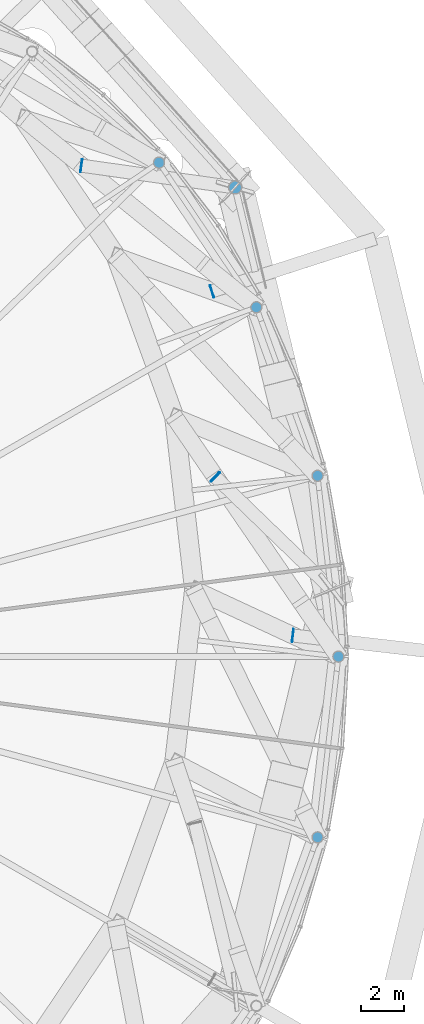
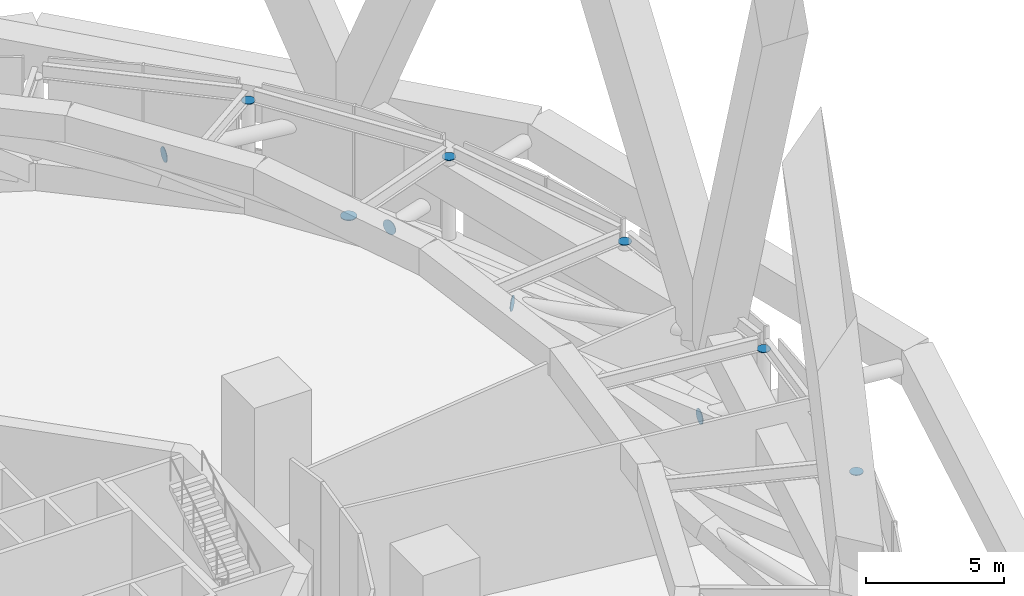
# One storey, part 47 of 51: 10 discrete accessories.
"""IFC4 building model written with IfcOpenShell, lengths in metres."""

from ifc_helpers import new_model, si_unit, direction, frame, origin, origin_2d, place, context, subcontext, project, spatial, circle, extrude, material, layer, layer_set, type_object, element, save


model = new_model("IFC4")

# Units and contexts
model_context = context("Model", 3, precision=1e-05, world=origin(), true_north=direction((0.0, 1.0)))
body_context = subcontext(model_context, "Body", "Model", "MODEL_VIEW")
ifc_project = project(units=[si_unit("LENGTHUNIT", "METRE"), si_unit("AREAUNIT", "SQUARE_METRE"), si_unit("VOLUMEUNIT", "CUBIC_METRE"), si_unit("PLANEANGLEUNIT", "RADIAN"), si_unit("MASSUNIT", "GRAM", prefix="KILO")], contexts=[model_context])

# Site, building, storey
site_placement = place(None, origin())
site = spatial("IfcSite", under=ifc_project, at=site_placement, CompositionType="ELEMENT")
building_placement = place(site_placement, origin())
building = spatial("IfcBuilding", under=site, at=building_placement, Name="Nagisa Residences", CompositionType="ELEMENT")
storey_placement = place(building_placement, frame((0.0, 0.0, 67.699951171875)))
storey = spatial("IfcBuildingStorey", under=building, at=storey_placement, Name="L16", CompositionType="ELEMENT", Elevation=67.699951171875)

# Discrete accessories
ifc_material_1 = material(Name="Steel ASTM A572 Gr 50", Category="steel")
ifc_layer_1 = layer(ifc_material_1, 0.030029296875)
ifc_layer_set_1 = layer_set([ifc_layer_1], Name="End plate")
discrete_accessory_type_1 = type_object("IfcDiscreteAccessoryType", Name="End plate", PredefinedType="ANCHORPLATE", material=ifc_layer_set_1)
discrete_accessory_1_placement = place(storey_placement, frame((27.294189453125, 21.8251953125, -0.889892578125), z_axis=(0.0, 0.0, -1.0), x_axis=(1.0, 0.0, 0.0)))
element("IfcDiscreteAccessory", 1, at=discrete_accessory_1_placement, inside=storey, type_object=discrete_accessory_type_1, Name="End plate DH101", PredefinedType="ANCHORPLATE", context=body_context, shape_type="SweptSolid", body=[
    extrude(circle(Radius=0.304931640625, at=origin_2d()), origin(), (0.0, 0.0, 1.0), 0.030029296875),
])
for number, where, z_axis, x_axis, name in (
    (2, (32.10009765625, 0.0, 4.737060546875), (0.0, 0.0, 1.0), (1.0, 0.0, 0.0), "End plate GP101"),
    (3, (31.12890625, 8.41162109375, 4.737060546875), (0.0, 0.0, 1.0), (1.0, 0.0, 0.0), "End plate GP102"),
    (4, (28.28173828125, 16.25, 4.737060546875), (0.0, 0.0, 1.0), (1.0, 0.0, 0.0), "End plate GP103"),
    (5, (23.75244140625, 22.98095703125, 4.737060546875), (0.0, 0.0, 1.0), (1.0, 0.0, 0.0), "End plate GP104"),
    (6, (31.12890625, -8.41162109375, 4.737060546875), (0.0, 0.0, 1.0), (1.0, 0.0, 0.0), "End plate GP124"),
):
    element("IfcDiscreteAccessory", number, at=place(storey_placement, frame(where, z_axis=z_axis, x_axis=x_axis)), inside=storey, type_object=discrete_accessory_type_1, Name=name, PredefinedType="ANCHORPLATE", context=body_context, shape_type="SweptSolid", body=[
        extrude(circle(Radius=0.25390625, at=origin_2d()), origin(), (0.0, 0.0, 1.0), 0.030029296875),
    ])
ifc_material_2 = material(Name="Steel ASTM A572 Gr 50", Category="steel")
ifc_layer_2 = layer(ifc_material_2, 0.030029296875)
ifc_layer_set_2 = layer_set([ifc_layer_2], Name="Node plate")
discrete_accessory_type_2 = type_object("IfcDiscreteAccessoryType", Name="Node plate", PredefinedType="ANCHORPLATE", material=ifc_layer_set_2)
for number, where, z_axis, x_axis, name in (
    (7, (29.99462890625, 0.97900390625, 1.900146484375), (-0.993480071526, 0.114005909847, 0.0), (-0.114005909847, -0.993480071526, 0.0), "Node plate ST1A01"),
    (8, (26.231201171875, 16.995849609375, 1.900146484375), (-0.951093789288, -0.30890225635, 0.0), (0.30890225635, -0.951093789288, 0.0), "Node plate ST1A02"),
    (9, (26.385498046875, 8.34521484375, 3.699951171875), (-0.715187202401, 0.698932947801, 0.0), (-0.698932947801, -0.715187202401, 0.0), "Node plate ST2B01"),
):
    element("IfcDiscreteAccessory", number, at=place(storey_placement, frame(where, z_axis=z_axis, x_axis=x_axis)), inside=storey, type_object=discrete_accessory_type_2, Name=name, PredefinedType="ANCHORPLATE", context=body_context, shape_type="SweptSolid", body=[
        extrude(circle(Radius=0.304931640625, at=origin_2d()), origin(), (0.0, 0.0, 1.0), 0.030029296875),
    ])
discrete_accessory_2_placement = place(storey_placement, frame((20.15576171875, 22.83837890625, 3.699951171875), z_axis=(-0.990274204789, 0.139129433731, 0.0), x_axis=(-0.139129433731, -0.990274204789, 0.0)))
element("IfcDiscreteAccessory", 10, at=discrete_accessory_2_placement, inside=storey, type_object=discrete_accessory_type_2, Name="Node plate ST2B02", PredefinedType="ANCHORPLATE", context=body_context, shape_type="SweptSolid", body=[
    extrude(circle(Radius=0.304931640625, at=origin_2d()), origin(), (0.0, 0.0, 1.0), 0.02978515625),
])

save(model, "model.ifc")
